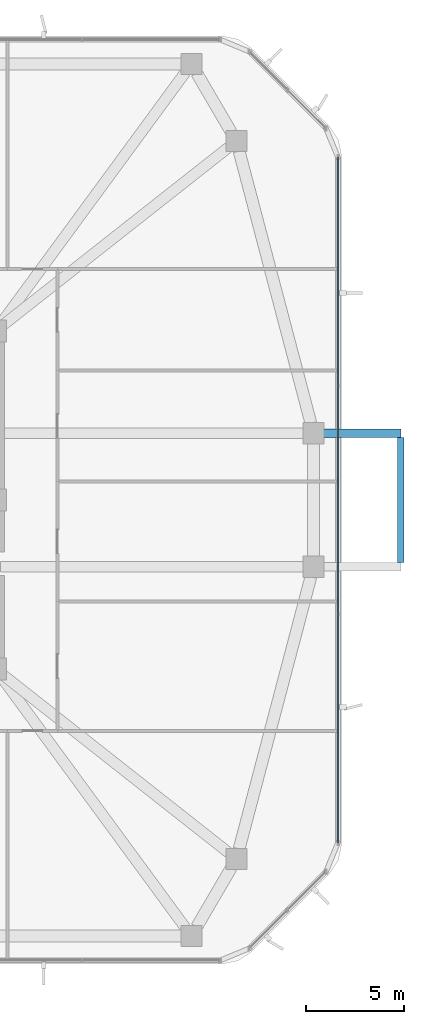
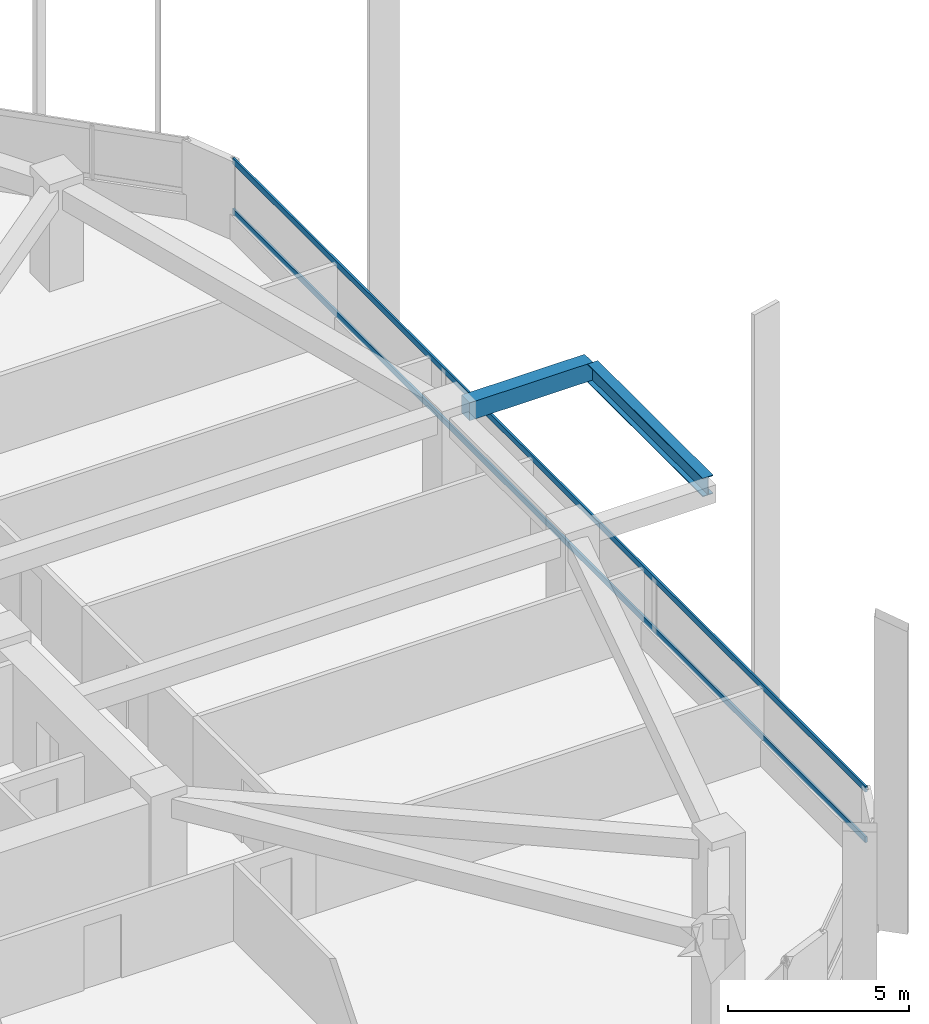
# One storey, part 5 of 17: 2 beams, 2 members, 1 element without a shape of its own.
"""IFC4 building model written with IfcOpenShell, lengths in metres."""

from ifc_helpers import new_model, si_unit, derived_unit, direction, frame, origin, origin_2d, place, context, subcontext, project, spatial, rectangle, i_section, extrude, material, material_profile, profile_set, type_object, element, aggregate, save


model = new_model("IFC4")

# Units and contexts
model_context = context("Model", 3, precision=1e-05, world=origin(), true_north=direction((0.0, 1.0)))
body_context = subcontext(model_context, "Body", "Model", "MODEL_VIEW")
ifc_project = project(units=[si_unit("LENGTHUNIT", "METRE"), si_unit("AREAUNIT", "SQUARE_METRE"), si_unit("VOLUMEUNIT", "CUBIC_METRE"), si_unit("PLANEANGLEUNIT", "RADIAN"), si_unit("MASSUNIT", "GRAM", prefix="KILO"), derived_unit("THERMALTRANSMITTANCEUNIT", [(si_unit("POWERUNIT", "WATT"), 1), (si_unit("LENGTHUNIT", "METRE"), -2), (si_unit("THERMODYNAMICTEMPERATUREUNIT", "KELVIN"), -1)])], contexts=[model_context])

# Site, building, storey
site_placement = place(None, origin())
site = spatial("IfcSite", under=ifc_project, at=site_placement, CompositionType="ELEMENT")
building_placement = place(site_placement, origin())
building = spatial("IfcBuilding", under=site, at=building_placement, Name="Koralith Skygarden Medical Center", CompositionType="ELEMENT")
storey_placement = place(building_placement, frame((0.0, 0.0, 23.93994140625)))
storey = spatial("IfcBuildingStorey", under=building, at=storey_placement, Name="L05", CompositionType="ELEMENT", Elevation=23.93994140625)

# Curtain wall, members
ifc_material_1 = material(Name="Clear Laminated Glass", Category="glass")
curtain_wall_type = type_object("IfcCurtainWallType", Name="CW-2 Zone 1 Hurricane Unitised Curtain Wall", PredefinedType="NOTDEFINED", material=ifc_material_1)
curtain_wall_placement = place(storey_placement, origin())
curtain_wall = element("IfcCurtainWall", 1, at=curtain_wall_placement, inside=storey, type_object=curtain_wall_type, Name="Curtain Wall CW-L05-E", PredefinedType="NOTDEFINED")
ifc_material_2 = material(Name="Aluminium 6063-T6", Category="aluminium")
ifc_material_profile_1 = material_profile(ifc_material_2, rectangle(XDim=0.06591796875, YDim=0.197998046875, at=origin_2d()), Name="TRN66X198")
ifc_profile_set_1 = profile_set([ifc_material_profile_1], Name="Aluminium 6063-T6")
member_type = type_object("IfcMemberType", Name="CW-2 Thermal Transom 66x198", PredefinedType="USERDEFINED", material=ifc_profile_set_1)
member_1_placement = place(storey_placement, frame((65.6201171875, 8.455078125, 0.900146484375), z_axis=(0.0, 1.0, 0.0), x_axis=(-1.0, 0.0, 0.0)))
member_1 = element("IfcMember", 2, at=member_1_placement, type_object=member_type, Name="CW-L05-E Transom 1", ObjectType="TRANSOM", PredefinedType="USERDEFINED", context=body_context, shape_type="SweptSolid", body=[
    extrude(rectangle(XDim=0.06591796875, YDim=0.197998046875, at=origin_2d()), origin(), (0.0, 0.0, 1.0), 34.889892578125),
])
member_2_placement = place(storey_placement, frame((65.6201171875, 8.455078125, 2.60009765625), z_axis=(0.0, 1.0, 0.0), x_axis=(-1.0, 0.0, 0.0)))
member_2 = element("IfcMember", 3, at=member_2_placement, type_object=member_type, Name="CW-L05-E Transom 2", ObjectType="TRANSOM", PredefinedType="USERDEFINED", context=body_context, shape_type="SweptSolid", body=[
    extrude(rectangle(XDim=0.06591796875, YDim=0.197998046875, at=origin_2d()), origin(), (0.0, 0.0, 1.0), 34.889892578125),
])
aggregate(curtain_wall, [member_1, member_2])

# Beams
ifc_material_3 = material(Name="Steel ASTM A992 Grade 50", Category="steel")
ifc_material_profile_2 = material_profile(ifc_material_3, i_section(OverallWidth=0.326904296875, OverallDepth=0.6220703125, WebThickness=0.015380859375, FlangeThickness=0.0244140625, at=origin_2d()), Name="W24X131")
ifc_profile_set_2 = profile_set([ifc_material_profile_2], Name="Steel ASTM A992 Grade 50")
beam_type_1 = type_object("IfcBeamType", Name="Cantilever Tie Beam W24X131", PredefinedType="BEAM", material=ifc_profile_set_2)
beam_1_placement = place(storey_placement, frame((68.820068359375, 22.719970703125, 3.029052734375), z_axis=(0.0, 1.0, 0.0), x_axis=(-1.0, 0.0, 0.0)))
element("IfcBeam", 4, at=beam_1_placement, inside=storey, type_object=beam_type_1, Name="L06 E Balcony Tip Tie Beam", PredefinedType="BEAM", context=body_context, shape_type="SweptSolid", body=[
    extrude(i_section(OverallWidth=0.326904296875, OverallDepth=0.6220703125, WebThickness=0.015380859375, FlangeThickness=0.0244140625, at=origin_2d()), origin(), (0.0, 0.0, 1.0), 6.360107421875),
])
ifc_material_4 = material(Name="Concrete C45/55", Category="concrete")
ifc_material_profile_3 = material_profile(ifc_material_4, rectangle(XDim=0.449951171875, YDim=0.60009765625, at=origin_2d()), Name="RCB450X600")
ifc_profile_set_3 = profile_set([ifc_material_profile_3], Name="Concrete C45/55")
beam_type_2 = type_object("IfcBeamType", Name="Planted Balcony Cantilever Beam RCB450X600", PredefinedType="BEAM", material=ifc_profile_set_3)
beam_2_placement = place(storey_placement, frame((64.89990234375, 29.300048828125, 3.0400390625), z_axis=(1.0, 0.0, 0.0), x_axis=(0.0, 1.0, 0.0)))
element("IfcBeam", 5, at=beam_2_placement, inside=storey, type_object=beam_type_2, Name="L06 E Balcony Cantilever Beam B", PredefinedType="BEAM", context=body_context, shape_type="SweptSolid", body=[
    extrude(rectangle(XDim=0.449951171875, YDim=0.60009765625, at=origin_2d()), origin(), (0.0, 0.0, 1.0), 3.920166015625),
])

save(model, "model.ifc")
